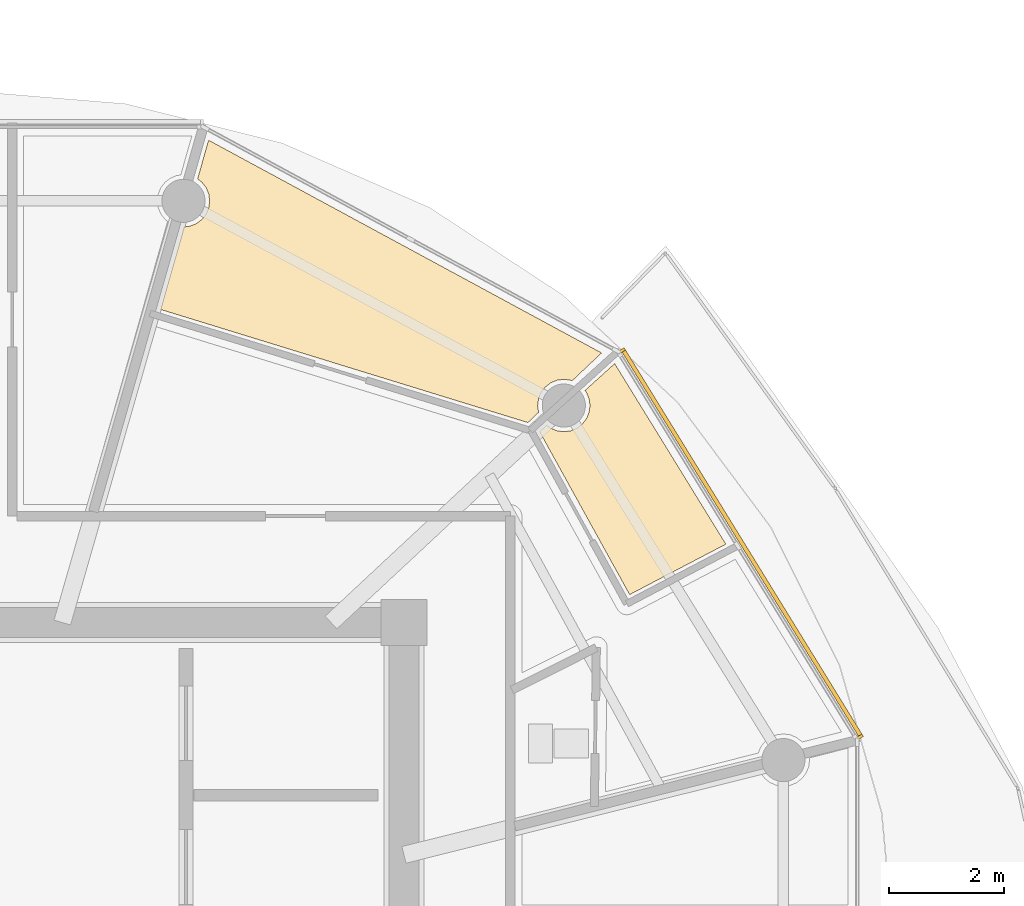
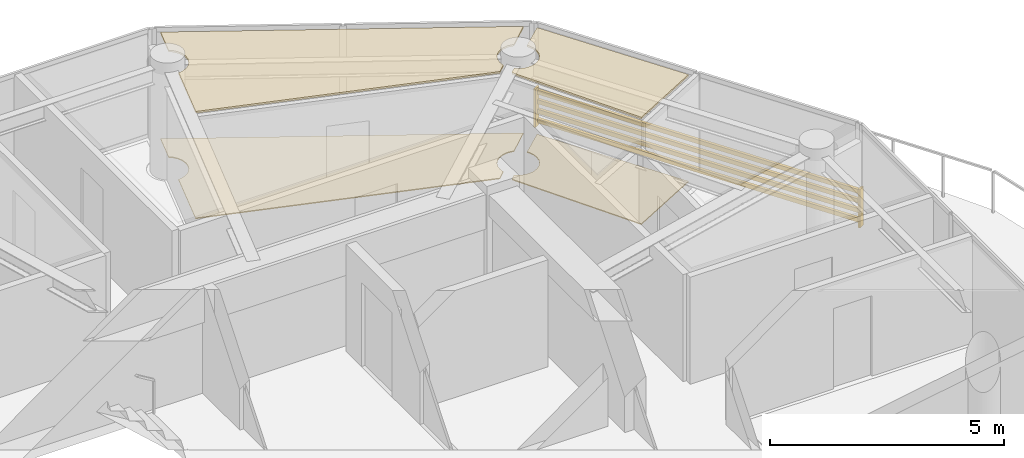
# One storey, part 28 of 30: 4 coverings, 1 shading device.
"""IFC4 building model written with IfcOpenShell, lengths in metres."""

from ifc_helpers import new_model, si_unit, direction, frame, origin, origin_2d, place, context, subcontext, project, spatial, polyline, rectangle, outline, extrude, source, transform, mapped, material, layer, layer_set, type_object, type_shapes, element, save


model = new_model("IFC4")

# Units and contexts
model_context = context("Model", 3, precision=1e-05, world=origin(), true_north=direction((0.0, 1.0)))
body_context = subcontext(model_context, "Body", "Model", "MODEL_VIEW")
ifc_project = project(units=[si_unit("LENGTHUNIT", "METRE"), si_unit("AREAUNIT", "SQUARE_METRE"), si_unit("VOLUMEUNIT", "CUBIC_METRE"), si_unit("PLANEANGLEUNIT", "RADIAN"), si_unit("MASSUNIT", "GRAM", prefix="KILO")], contexts=[model_context])

# Site, building, storey
site_placement = place(None, origin())
site = spatial("IfcSite", under=ifc_project, at=site_placement, CompositionType="ELEMENT")
building_placement = place(site_placement, origin())
building = spatial("IfcBuilding", under=site, at=building_placement, Name="Norrkilde Senior Care Towers", CompositionType="ELEMENT")
storey_placement = place(building_placement, frame((0.0, 0.0, 232.199951171875)))
storey = spatial("IfcBuildingStorey", under=building, at=storey_placement, Name="L72", CompositionType="ELEMENT", Elevation=232.199951171875)

# Coverings
ifc_material_1 = material(Name="Nordic Ash Timber", Category="wood")
ifc_layer_1 = layer(ifc_material_1, 0.044921875)
ifc_layer_set_1 = layer_set([ifc_layer_1], Name="Nordic Ash Timber")
covering_type_1 = type_object("IfcCoveringType", Name="Acoustic Ash Timber Slatted Ceiling 45", PredefinedType="CEILING", material=ifc_layer_set_1)
covering_1_placement = place(storey_placement, frame((0.0, 0.0, 2.76513671875)))
element("IfcCovering", 1, at=covering_1_placement, inside=storey, type_object=covering_type_1, Name="L72 Suspended Ceiling 0453", PredefinedType="CEILING", context=body_context, shape_type="SweptSolid", body=[
    extrude(outline(polyline([(39.57373046875, 6.435546875), (38.0078125, 9.26953125), (38.13232421875, 9.38232421875), (38.202392578125, 9.32861328125), (38.31201171875, 9.283203125), (38.429931640625, 9.267822265625), (38.547607421875, 9.283203125), (38.6572265625, 9.32861328125), (38.75146484375, 9.40087890625), (38.823974609375, 9.4951171875), (38.869384765625, 9.60498046875), (38.884765625, 9.72265625), (38.869384765625, 9.840576171875), (38.823974609375, 9.9501953125), (38.797607421875, 9.984375), (39.31396484375, 10.45166015625), (41.246826171875, 7.3125), (39.57373046875, 6.435546875)])), origin(), (0.0, 0.0, 1.0), 0.044921875),
])
covering_2_placement = place(storey_placement, frame((0.0, 0.0, 2.76513671875)))
element("IfcCovering", 2, at=covering_2_placement, inside=storey, type_object=covering_type_1, Name="L72 Suspended Ceiling 0454", PredefinedType="CEILING", context=body_context, shape_type="SweptSolid", body=[
    extrude(outline(polyline([(38.57275390625, 10.15185546875), (38.547607421875, 10.162109375), (38.429931640625, 10.177734375), (38.31201171875, 10.162109375), (38.202392578125, 10.11669921875), (38.108154296875, 10.04443359375), (38.035888671875, 9.9501953125), (37.990234375, 9.840576171875), (37.974853515625, 9.72265625), (37.990234375, 9.60498046875), (37.9912109375, 9.6025390625), (37.8046875, 9.42626953125), (31.419189453125, 11.393310546875), (31.825927734375, 12.82763671875), (31.935302734375, 12.842041015625), (32.045166015625, 12.887451171875), (32.139404296875, 12.959716796875), (32.211669921875, 13.053955078125), (32.257080078125, 13.163818359375), (32.2724609375, 13.281494140625), (32.257080078125, 13.399169921875), (32.211669921875, 13.509033203125), (32.139404296875, 13.603271484375), (32.062744140625, 13.662109375), (32.253662109375, 14.335693359375), (39.08642578125, 10.636962890625), (38.57275390625, 10.15185546875)])), origin(), (0.0, 0.0, 1.0), 0.044921875),
])
ifc_material_2 = material(Name="Slip-Resistant Porcelain Stone", Category="masonry")
ifc_layer_2 = layer(ifc_material_2, 0.02490234375)
ifc_layer_set_2 = layer_set([ifc_layer_2], Name="Slip-Resistant Porcelain Stone")
covering_type_2 = type_object("IfcCoveringType", Name="Slip-Resistant Porcelain Flooring 25", PredefinedType="FLOORING", material=ifc_layer_set_2)
covering_3_placement = place(storey_placement, origin())
element("IfcCovering", 3, at=covering_3_placement, inside=storey, type_object=covering_type_2, Name="L72 Floor Finish 0453", PredefinedType="FLOORING", context=body_context, shape_type="SweptSolid", body=[
    extrude(outline(polyline([(39.57373046875, 6.435546875), (38.0078125, 9.26953125), (38.13232421875, 9.38232421875), (38.202392578125, 9.32861328125), (38.31201171875, 9.283203125), (38.429931640625, 9.267822265625), (38.547607421875, 9.283203125), (38.6572265625, 9.32861328125), (38.75146484375, 9.40087890625), (38.823974609375, 9.4951171875), (38.869384765625, 9.60498046875), (38.884765625, 9.72265625), (38.869384765625, 9.840576171875), (38.823974609375, 9.9501953125), (38.797607421875, 9.984375), (39.31396484375, 10.45166015625), (41.246826171875, 7.3125), (39.57373046875, 6.435546875)])), origin(), (0.0, 0.0, 1.0), 0.025146484375),
])
covering_4_placement = place(storey_placement, origin())
element("IfcCovering", 4, at=covering_4_placement, inside=storey, type_object=covering_type_2, Name="L72 Floor Finish 0454", PredefinedType="FLOORING", context=body_context, shape_type="SweptSolid", body=[
    extrude(outline(polyline([(38.57275390625, 10.15185546875), (38.547607421875, 10.162109375), (38.429931640625, 10.177734375), (38.31201171875, 10.162109375), (38.202392578125, 10.11669921875), (38.108154296875, 10.04443359375), (38.035888671875, 9.9501953125), (37.990234375, 9.840576171875), (37.974853515625, 9.72265625), (37.990234375, 9.60498046875), (37.9912109375, 9.6025390625), (37.8046875, 9.42626953125), (31.419189453125, 11.393310546875), (31.825927734375, 12.82763671875), (31.935302734375, 12.842041015625), (32.045166015625, 12.887451171875), (32.139404296875, 12.959716796875), (32.211669921875, 13.053955078125), (32.257080078125, 13.163818359375), (32.2724609375, 13.281494140625), (32.257080078125, 13.399169921875), (32.211669921875, 13.509033203125), (32.139404296875, 13.603271484375), (32.062744140625, 13.662109375), (32.253662109375, 14.335693359375), (39.08642578125, 10.636962890625), (38.57275390625, 10.15185546875)])), origin(), (0.0, 0.0, 1.0), 0.025146484375),
])

# Shading device
ifc_material_3 = material(Name="Architectural Terracotta", Category="masonry")
shading_device_type = type_object("IfcShadingDeviceType", Name="Horizontal Terracotta Baguette Rack", PredefinedType="USERDEFINED", material=ifc_material_3)
shared_shape = source(origin(), body_context, "Body", "SweptSolid", [
    extrude(rectangle(XDim=0.070068359375, YDim=0.110107421875, at=origin_2d()), frame((0.0, 0.090087890625, 0.125), z_axis=(1.0, 0.0, 0.0), x_axis=(0.0, 1.0, 0.0)), (0.0, 0.0, 1.0), 7.938232421875),
    extrude(rectangle(XDim=0.070068359375, YDim=0.110107421875, at=origin_2d()), frame((0.0, 0.090087890625, 0.375), z_axis=(1.0, 0.0, 0.0), x_axis=(0.0, 1.0, 0.0)), (0.0, 0.0, 1.0), 7.938232421875),
    extrude(rectangle(XDim=0.070068359375, YDim=0.110107421875, at=origin_2d()), frame((0.0, 0.090087890625, 0.625), z_axis=(1.0, 0.0, 0.0), x_axis=(0.0, 1.0, 0.0)), (0.0, 0.0, 1.0), 7.938232421875),
    extrude(rectangle(XDim=0.070068359375, YDim=0.110107421875, at=origin_2d()), frame((0.0, 0.090087890625, 0.875), z_axis=(1.0, 0.0, 0.0), x_axis=(0.0, 1.0, 0.0)), (0.0, 0.0, 1.0), 7.938232421875),
    extrude(rectangle(XDim=0.050048828125, YDim=0.1552734375, at=origin_2d()), frame((0.02490234375, 0.047607421875, 0.0)), (0.0, 0.0, 1.0), 1.0),
    extrude(rectangle(XDim=0.050048828125, YDim=0.1552734375, at=origin_2d()), frame((7.9130859375, 0.047607421875, 0.0)), (0.0, 0.0, 1.0), 1.0),
])
type_shapes(shading_device_type, [shared_shape])
shading_device_placement = place(storey_placement, frame((39.370361328125, 10.6630859375, 0.080078125), z_axis=(0.0, 0.0, 1.0), x_axis=(0.524250345994, -0.851576195602, 0.0)))
element("IfcShadingDevice", 5, at=shading_device_placement, inside=storey, type_object=shading_device_type, Name="L72 Drum E Terracotta Baguette Screen 00", ObjectType="BAGUETTE", PredefinedType="USERDEFINED", context=body_context, shape_type="MappedRepresentation", body=[
    mapped(shared_shape, transform((0.0, 0.0, 0.0), x_axis=(1.0, 0.0, 0.0), y_axis=(0.0, 1.0, 0.0), z_axis=(0.0, 0.0, 1.0), scale=1.0)),
])

save(model, "model.ifc")
